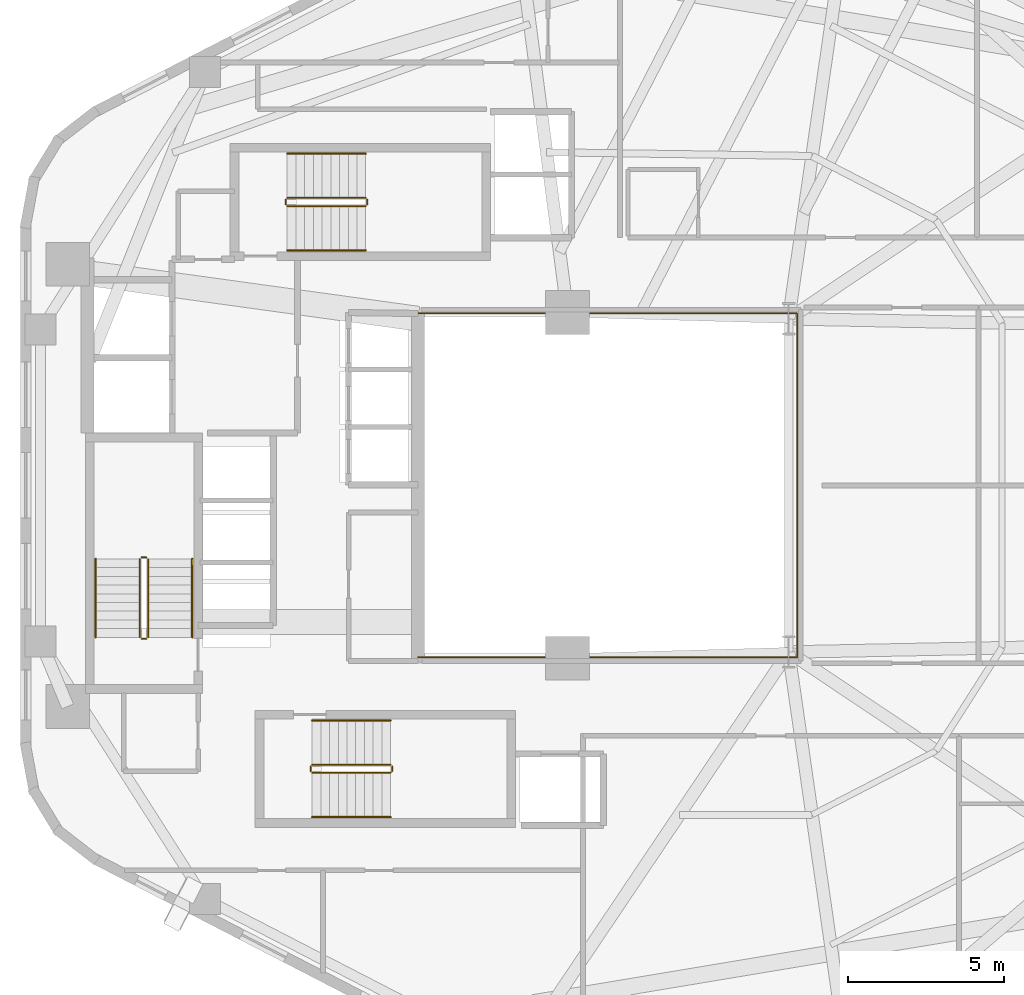
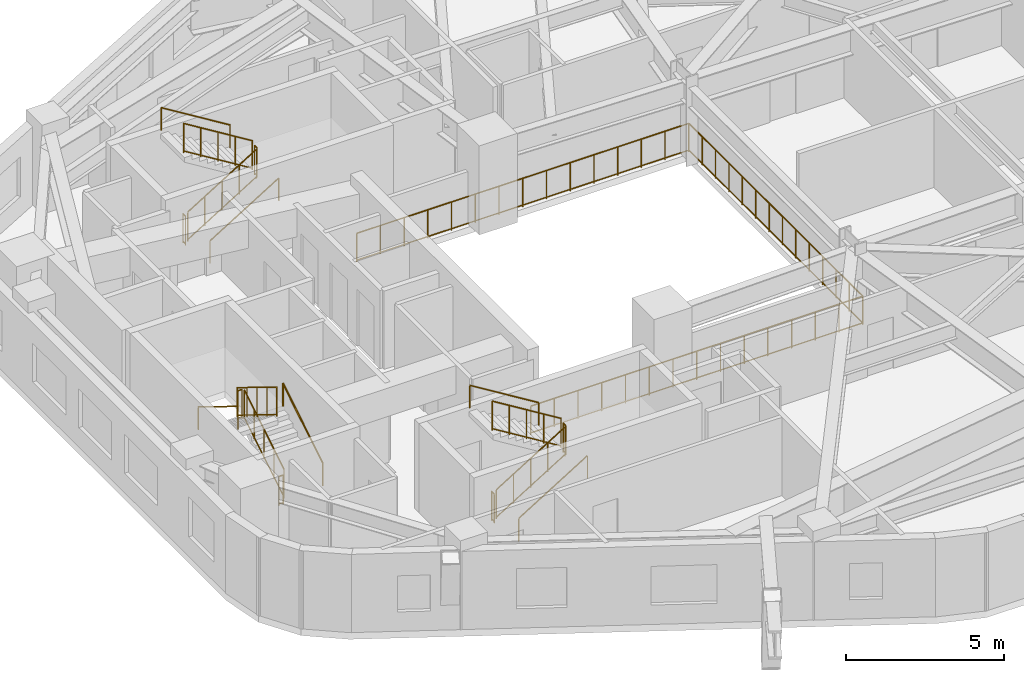
# One storey, part 7 of 7: 19 railings.
"""IFC4 building model written with IfcOpenShell, lengths in metres."""

import ifcopenshell
import ifcopenshell.guid

model = None  # the IFC model being written
_history = None  # IfcOwnerHistory: only IFC2X3 demands one
_inside = {}  # id of a spatial element -> (the spatial element, [elements in it])
_under = {}  # id of a project, library or spatial element -> (it, [spatial elements below it])
_declared = {}  # id of a project -> (the project, [libraries it declares])
_typed = {}  # id of a type object -> (the type object, [elements of that type])
_made_of = {}  # id of a material, layer set ... -> (it, [elements and type objects made of it])


def new_model(schema):
    """Start an empty IFC model of exactly this schema.

    Asked for "IFC4X3", IfcOpenShell would pick the latest addendum, in which some entities
    have other attributes; the version numbers below select the first issue.
    IFC2X3 requires an IfcOwnerHistory on every rooted entity: one is made here for all.
    """
    global model, _history
    if schema == "IFC4X3":
        model = ifcopenshell.file(schema_version=(4, 3, 0, 0))
    else:
        model = ifcopenshell.file(schema=schema)
    _inside.clear()
    _under.clear()
    _declared.clear()
    _typed.clear()
    _made_of.clear()
    _history = None
    if model.schema == "IFC2X3":
        org = make("IfcOrganization", Name="unknown")
        user = make(
            "IfcPersonAndOrganization",
            ThePerson=make("IfcPerson", FamilyName="unknown"),
            TheOrganization=org,
        )
        app = make(
            "IfcApplication",
            ApplicationDeveloper=org,
            Version="unknown",
            ApplicationFullName="unknown",
            ApplicationIdentifier="unknown",
        )
        _history = make(
            "IfcOwnerHistory",
            OwningUser=user,
            OwningApplication=app,
            ChangeAction="ADDED",
            CreationDate=0,
        )
    return model


def make(cls, **values):
    """One entity of the class cls with the attributes given. An attribute that is None is left unset."""
    return model.create_entity(
        cls, **{name: value for name, value in values.items() if value is not None}
    )


def rooted(cls, **values):
    """An entity with a GlobalId (a new one), such as an element, a storey or a relation."""
    return make(cls, GlobalId=ifcopenshell.guid.new(), OwnerHistory=_history, **values)


def si_unit(unit_type, name, prefix=None):
    """IfcSIUnit, for example si_unit("LENGTHUNIT", "METRE", prefix="MILLI")."""
    return make("IfcSIUnit", UnitType=unit_type, Prefix=prefix, Name=name)


def assignment(units):
    """IfcUnitAssignment: the units of a project."""
    return None if units is None else make("IfcUnitAssignment", Units=units)


def point(xyz):
    """IfcCartesianPoint."""
    return None if xyz is None else make("IfcCartesianPoint", Coordinates=xyz)


def direction(xyz):
    """IfcDirection."""
    return None if xyz is None else make("IfcDirection", DirectionRatios=xyz)


def frame(location, z_axis=None, x_axis=None):
    """IfcAxis2Placement3D, a coordinate frame: its origin and axes. An axis left out is left unset."""
    return make(
        "IfcAxis2Placement3D",
        Location=point(location),
        Axis=direction(z_axis),
        RefDirection=direction(x_axis),
    )


def frame_2d(location, x_axis=None):
    """IfcAxis2Placement2D, a coordinate frame in the plane: its origin and x axis."""
    return make(
        "IfcAxis2Placement2D", Location=point(location), RefDirection=direction(x_axis)
    )


def origin():
    """The frame at (0, 0, 0) with its axes left unset."""
    return frame((0.0, 0.0, 0.0))


def origin_2d():
    """The frame at (0, 0) in the plane with its x axis left unset."""
    return frame_2d((0.0, 0.0))


def place(relative_to, where):
    """IfcLocalPlacement: puts the frame where relative to a parent placement (None: the world)."""
    return make(
        "IfcLocalPlacement", PlacementRelTo=relative_to, RelativePlacement=where
    )


def context(
    kind, dimensions, precision=None, world=None, true_north=None, identifier=None
):
    """IfcGeometricRepresentationContext, for example the 3D "Model" context."""
    return make(
        "IfcGeometricRepresentationContext",
        ContextIdentifier=identifier,
        ContextType=kind,
        CoordinateSpaceDimension=dimensions,
        Precision=precision,
        WorldCoordinateSystem=world,
        TrueNorth=true_north,
    )


def subcontext(parent, identifier, kind, view, scale=None):
    """IfcGeometricRepresentationSubContext, for example "Body" below "Model"."""
    return make(
        "IfcGeometricRepresentationSubContext",
        ContextIdentifier=identifier,
        ContextType=kind,
        ParentContext=parent,
        TargetScale=scale,
        TargetView=view,
    )


def project(units=None, contexts=None):
    """IfcProject with its units and contexts."""
    return rooted(
        "IfcProject",
        Name="project",
        RepresentationContexts=contexts,
        UnitsInContext=assignment(units),
    )


def spatial(cls, under=None, at=None, **own):
    """A site, building, storey or space (cls), placed at a placement, below another one or the project."""
    s = rooted(cls, ObjectPlacement=at, **own)
    if under is not None:
        _under.setdefault(under.id(), (under, []))[1].append(s)
    return s


def profile(cls, at=None, kind="AREA", **sizes):
    """A parametric profile (cls). Its sizes go by their IFC names, for example OverallWidth=200.0."""
    return make(cls, ProfileType=kind, Position=at, **sizes)


def circle(**sizes):
    """IfcCircleProfileDef."""
    return profile("IfcCircleProfileDef", **sizes)


def extrude(swept, where, along, depth):
    """IfcExtrudedAreaSolid: the profile swept, set in the frame where, extruded along a direction by depth."""
    return make(
        "IfcExtrudedAreaSolid",
        SweptArea=swept,
        Position=where,
        ExtrudedDirection=direction(along),
        Depth=depth,
    )


def shape(context_of_items, identifier, shape_type, items):
    """IfcShapeRepresentation: the items that make up one representation, for example the "Body"."""
    return make(
        "IfcShapeRepresentation",
        ContextOfItems=context_of_items,
        RepresentationIdentifier=identifier,
        RepresentationType=shape_type,
        Items=items,
    )


def material(Name=None, Category=None):
    """IfcMaterial."""
    return make("IfcMaterial", Name=Name, Category=Category)


def made_of(thing, what):
    """Note that an element or type object is made of a material, layer set ...; save() writes the relation."""
    if what is not None:
        _made_of.setdefault(what.id(), (what, []))[1].append(thing)
    return thing


def type_object(cls, material=None, **own):
    """A type object (cls), such as IfcWallType, which elements share."""
    return made_of(rooted(cls, **own), material)


def element(
    cls,
    number,
    at=None,
    inside=None,
    cuts=None,
    type_object=None,
    material=None,
    context=None,
    identifier="Body",
    shape_type=None,
    held_by="IfcProductDefinitionShape",
    body=None,
    shapes=None,
    **own,
):
    """One element of the class cls, such as IfcWall. Its Tag is "e" and its number.

    at: its placement. inside: the storey or other place that contains it. cuts: it is an
    opening in that element (IfcRelVoidsElement). A single representation is given by context,
    identifier, shape_type and body (its items); several are given by shapes. held_by: the class
    of the entity that holds the representations. save() writes the other relations.
    """
    e = rooted(cls, Tag="e%d" % number, ObjectPlacement=at, **own)
    if body is not None:
        shapes = [shape(context, identifier, shape_type, body)]
    if shapes is not None:
        e.Representation = make(held_by, Representations=shapes)
    if inside is not None:
        _inside.setdefault(inside.id(), (inside, []))[1].append(e)
    if cuts is not None:
        rooted(
            "IfcRelVoidsElement", RelatingBuildingElement=cuts, RelatedOpeningElement=e
        )
    if type_object is not None:
        _typed.setdefault(type_object.id(), (type_object, []))[1].append(e)
    return made_of(e, material)


def aggregate(whole, parts):
    """IfcRelAggregates: a whole, such as a stair, and the parts it consists of."""
    return rooted("IfcRelAggregates", RelatingObject=whole, RelatedObjects=parts)


def save(model, path):
    """Write the relations noted so far, then the file.

    IfcRelAggregates (storeys below a building ...), IfcRelContainedInSpatialStructure (elements
    in a storey), IfcRelDefinesByType, IfcRelAssociatesMaterial and IfcRelDeclares: one each for
    every whole, place, type object, material and project.
    """
    for whole, parts in _under.values():
        aggregate(whole, parts)
    for where, things in _inside.values():
        rooted(
            "IfcRelContainedInSpatialStructure",
            RelatedElements=things,
            RelatingStructure=where,
        )
    for kind, things in _typed.values():
        rooted("IfcRelDefinesByType", RelatedObjects=things, RelatingType=kind)
    for what, things in _made_of.values():
        rooted("IfcRelAssociatesMaterial", RelatedObjects=things, RelatingMaterial=what)
    for by, libraries in _declared.values():
        rooted("IfcRelDeclares", RelatingContext=by, RelatedDefinitions=libraries)
    model.write(path)


model = new_model("IFC4")

# Units and contexts
model_context = context("Model", 3, precision=1e-05, world=origin(), true_north=direction((0.0, 1.0)))
body_context = subcontext(model_context, "Body", "Model", "MODEL_VIEW")
ifc_project = project(units=[si_unit("LENGTHUNIT", "METRE"), si_unit("AREAUNIT", "SQUARE_METRE"), si_unit("VOLUMEUNIT", "CUBIC_METRE"), si_unit("PLANEANGLEUNIT", "RADIAN"), si_unit("MASSUNIT", "GRAM", prefix="KILO"), si_unit("THERMODYNAMICTEMPERATUREUNIT", "KELVIN"), si_unit("POWERUNIT", "WATT")], contexts=[model_context])

# Site, building, storey
site_placement = place(None, origin())
site = spatial("IfcSite", under=ifc_project, at=site_placement, CompositionType="ELEMENT")
building_placement = place(site_placement, origin())
building = spatial("IfcBuilding", under=site, at=building_placement, Name="Skarre Station Tower", CompositionType="ELEMENT")
storey_placement = place(building_placement, frame((0.0, 0.0, 160.199951171875)))
storey = spatial("IfcBuildingStorey", under=building, at=storey_placement, Name="L43", CompositionType="ELEMENT", Elevation=160.199951171875)

# Railings
ifc_material_1 = material(Name="Bronze Anodized Steel & Laminated Glass Balustrade", Category="steel")
railing_type_1 = type_object("IfcRailingType", Name="Atrium Void & Mezzanine Guard Balustrade 1120", PredefinedType="GUARDRAIL", material=ifc_material_1)
railing_1_placement = place(storey_placement, frame((27.550048828125, 18.47998046875, 0.0)))
element("IfcRailing", 1, at=railing_1_placement, inside=storey, type_object=railing_type_1, Name="L43 Atrium Void Guard Balustrade", PredefinedType="GUARDRAIL", context=body_context, shape_type="SweptSolid", body=[
    extrude(circle(Radius=0.02392578125, at=origin_2d()), frame((0.0, 0.0, 1.09619140625), z_axis=(1.0, 0.0, 0.0), x_axis=(0.0, 1.0, 0.0)), (0.0, 0.0, 1.0), 12.169921875),
    extrude(circle(Radius=0.02099609375, at=origin_2d()), frame((0.0, 0.0, 0.06005859375), z_axis=(1.0, 0.0, 0.0), x_axis=(0.0, 1.0, 0.0)), (0.0, 0.0, 1.0), 12.169921875),
    extrude(circle(Radius=0.02392578125, at=origin_2d()), frame((12.169921875, 0.0, 1.09619140625), z_axis=(0.0, 1.0, 0.0), x_axis=(-1.0, 0.0, 0.0)), (0.0, 0.0, 1.0), 11.0400390625),
    extrude(circle(Radius=0.02099609375, at=origin_2d()), frame((12.169921875, 0.0, 0.06005859375), z_axis=(0.0, 1.0, 0.0), x_axis=(-1.0, 0.0, 0.0)), (0.0, 0.0, 1.0), 11.0400390625),
    extrude(circle(Radius=0.02392578125, at=origin_2d()), frame((12.169921875, 11.0400390625, 1.09619140625), z_axis=(-1.0, 0.0, 0.0), x_axis=(0.0, -1.0, 0.0)), (0.0, 0.0, 1.0), 12.169921875),
    extrude(circle(Radius=0.02099609375, at=origin_2d()), frame((12.169921875, 11.0400390625, 0.06005859375), z_axis=(-1.0, 0.0, 0.0), x_axis=(0.0, -1.0, 0.0)), (0.0, 0.0, 1.0), 12.169921875),
    extrude(circle(Radius=0.02099609375, at=origin_2d()), origin(), (0.0, 0.0, 1.0), 1.072021484375),
    extrude(circle(Radius=0.02099609375, at=origin_2d()), frame((0.869384765625, 0.0, 0.0)), (0.0, 0.0, 1.0), 1.072021484375),
    extrude(circle(Radius=0.02099609375, at=origin_2d()), frame((1.738525390625, 0.0, 0.0)), (0.0, 0.0, 1.0), 1.072021484375),
    extrude(circle(Radius=0.02099609375, at=origin_2d()), frame((2.60791015625, 0.0, 0.0)), (0.0, 0.0, 1.0), 1.072021484375),
    extrude(circle(Radius=0.02099609375, at=origin_2d()), frame((3.47705078125, 0.0, 0.0)), (0.0, 0.0, 1.0), 1.072021484375),
    extrude(circle(Radius=0.02099609375, at=origin_2d()), frame((4.346435546875, 0.0, 0.0)), (0.0, 0.0, 1.0), 1.072021484375),
    extrude(circle(Radius=0.02099609375, at=origin_2d()), frame((5.215576171875, 0.0, 0.0)), (0.0, 0.0, 1.0), 1.072021484375),
    extrude(circle(Radius=0.02099609375, at=origin_2d()), frame((6.0849609375, 0.0, 0.0)), (0.0, 0.0, 1.0), 1.072021484375),
    extrude(circle(Radius=0.02099609375, at=origin_2d()), frame((6.954345703125, 0.0, 0.0)), (0.0, 0.0, 1.0), 1.072021484375),
    extrude(circle(Radius=0.02099609375, at=origin_2d()), frame((7.823486328125, 0.0, 0.0)), (0.0, 0.0, 1.0), 1.072021484375),
    extrude(circle(Radius=0.02099609375, at=origin_2d()), frame((8.69287109375, 0.0, 0.0)), (0.0, 0.0, 1.0), 1.072021484375),
    extrude(circle(Radius=0.02099609375, at=origin_2d()), frame((9.56201171875, 0.0, 0.0)), (0.0, 0.0, 1.0), 1.072021484375),
    extrude(circle(Radius=0.02099609375, at=origin_2d()), frame((10.431396484375, 0.0, 0.0)), (0.0, 0.0, 1.0), 1.072021484375),
    extrude(circle(Radius=0.02099609375, at=origin_2d()), frame((11.300537109375, 0.0, 0.0)), (0.0, 0.0, 1.0), 1.072021484375),
    extrude(circle(Radius=0.02099609375, at=origin_2d()), frame((12.169921875, 0.0, 0.0)), (0.0, 0.0, 1.0), 1.072021484375),
    extrude(circle(Radius=0.02099609375, at=origin_2d()), frame((12.169921875, 0.84912109375, 0.0)), (0.0, 0.0, 1.0), 1.072021484375),
    extrude(circle(Radius=0.02099609375, at=origin_2d()), frame((12.169921875, 1.698486328125, 0.0)), (0.0, 0.0, 1.0), 1.072021484375),
    extrude(circle(Radius=0.02099609375, at=origin_2d()), frame((12.169921875, 2.547607421875, 0.0)), (0.0, 0.0, 1.0), 1.072021484375),
    extrude(circle(Radius=0.02099609375, at=origin_2d()), frame((12.169921875, 3.39697265625, 0.0)), (0.0, 0.0, 1.0), 1.072021484375),
    extrude(circle(Radius=0.02099609375, at=origin_2d()), frame((12.169921875, 4.24609375, 0.0)), (0.0, 0.0, 1.0), 1.072021484375),
    extrude(circle(Radius=0.02099609375, at=origin_2d()), frame((12.169921875, 5.095458984375, 0.0)), (0.0, 0.0, 1.0), 1.072021484375),
    extrude(circle(Radius=0.02099609375, at=origin_2d()), frame((12.169921875, 5.944580078125, 0.0)), (0.0, 0.0, 1.0), 1.072021484375),
    extrude(circle(Radius=0.02099609375, at=origin_2d()), frame((12.169921875, 6.7939453125, 0.0)), (0.0, 0.0, 1.0), 1.072021484375),
    extrude(circle(Radius=0.02099609375, at=origin_2d()), frame((12.169921875, 7.64306640625, 0.0)), (0.0, 0.0, 1.0), 1.072021484375),
    extrude(circle(Radius=0.02099609375, at=origin_2d()), frame((12.169921875, 8.492431640625, 0.0)), (0.0, 0.0, 1.0), 1.072021484375),
    extrude(circle(Radius=0.02099609375, at=origin_2d()), frame((12.169921875, 9.341552734375, 0.0)), (0.0, 0.0, 1.0), 1.072021484375),
    extrude(circle(Radius=0.02099609375, at=origin_2d()), frame((12.169921875, 10.19091796875, 0.0)), (0.0, 0.0, 1.0), 1.072021484375),
    extrude(circle(Radius=0.02099609375, at=origin_2d()), frame((12.169921875, 11.0400390625, 0.0)), (0.0, 0.0, 1.0), 1.072021484375),
    extrude(circle(Radius=0.02099609375, at=origin_2d()), frame((11.300537109375, 11.0400390625, 0.0)), (0.0, 0.0, 1.0), 1.072021484375),
    extrude(circle(Radius=0.02099609375, at=origin_2d()), frame((10.431396484375, 11.0400390625, 0.0)), (0.0, 0.0, 1.0), 1.072021484375),
    extrude(circle(Radius=0.02099609375, at=origin_2d()), frame((9.56201171875, 11.0400390625, 0.0)), (0.0, 0.0, 1.0), 1.072021484375),
    extrude(circle(Radius=0.02099609375, at=origin_2d()), frame((8.69287109375, 11.0400390625, 0.0)), (0.0, 0.0, 1.0), 1.072021484375),
    extrude(circle(Radius=0.02099609375, at=origin_2d()), frame((7.823486328125, 11.0400390625, 0.0)), (0.0, 0.0, 1.0), 1.072021484375),
    extrude(circle(Radius=0.02099609375, at=origin_2d()), frame((6.954345703125, 11.0400390625, 0.0)), (0.0, 0.0, 1.0), 1.072021484375),
    extrude(circle(Radius=0.02099609375, at=origin_2d()), frame((6.0849609375, 11.0400390625, 0.0)), (0.0, 0.0, 1.0), 1.072021484375),
    extrude(circle(Radius=0.02099609375, at=origin_2d()), frame((5.215576171875, 11.0400390625, 0.0)), (0.0, 0.0, 1.0), 1.072021484375),
    extrude(circle(Radius=0.02099609375, at=origin_2d()), frame((4.346435546875, 11.0400390625, 0.0)), (0.0, 0.0, 1.0), 1.072021484375),
    extrude(circle(Radius=0.02099609375, at=origin_2d()), frame((3.47705078125, 11.0400390625, 0.0)), (0.0, 0.0, 1.0), 1.072021484375),
    extrude(circle(Radius=0.02099609375, at=origin_2d()), frame((2.60791015625, 11.0400390625, 0.0)), (0.0, 0.0, 1.0), 1.072021484375),
    extrude(circle(Radius=0.02099609375, at=origin_2d()), frame((1.738525390625, 11.0400390625, 0.0)), (0.0, 0.0, 1.0), 1.072021484375),
    extrude(circle(Radius=0.02099609375, at=origin_2d()), frame((0.869384765625, 11.0400390625, 0.0)), (0.0, 0.0, 1.0), 1.072021484375),
    extrude(circle(Radius=0.02099609375, at=origin_2d()), frame((0.0, 11.0400390625, 0.0)), (0.0, 0.0, 1.0), 1.072021484375),
])
ifc_material_2 = material(Name="Powder-Coated Tubular Steel", Category="steel")
railing_type_2 = type_object("IfcRailingType", Name="Painted Steel Ramp & Stair Handrail 920", PredefinedType="HANDRAIL", material=ifc_material_2)
railing_2_placement = place(storey_placement, frame((20.300048828125, 19.1201171875, 0.172607421875)))
element("IfcRailing", 2, at=railing_2_placement, inside=storey, type_object=railing_type_2, Name="L43 ST-1 stair handrail 1", PredefinedType="HANDRAIL", context=body_context, shape_type="SweptSolid", body=[
    extrude(circle(Radius=0.02392578125, at=origin_2d()), frame((0.0, 0.0, 0.8759765625), z_axis=(0.0, 0.851377800117, 0.52455299205), x_axis=(-1.0, 0.0, 0.0)), (0.0, 0.0, 1.0), 2.959716796875),
    extrude(circle(Radius=0.02099609375, at=origin_2d()), origin(), (0.0, 0.0, 1.0), 0.851806640625),
    extrude(circle(Radius=0.02099609375, at=origin_2d()), frame((0.0, 2.519775390625, 1.552490234375)), (0.0, 0.0, 1.0), 0.851806640625),
])
railing_3_placement = place(storey_placement, frame((17.199951171875, 21.639892578125, 1.8974609375)))
element("IfcRailing", 3, at=railing_3_placement, inside=storey, type_object=railing_type_2, Name="L43 ST-1 stair handrail 2", PredefinedType="HANDRAIL", context=body_context, shape_type="SweptSolid", body=[
    extrude(circle(Radius=0.02392578125, at=origin_2d()), frame((0.0, 0.0, 0.8759765625), z_axis=(0.0, -0.851377800117, 0.52455299205), x_axis=(1.0, 0.0, 0.0)), (0.0, 0.0, 1.0), 2.959716796875),
    extrude(circle(Radius=0.02099609375, at=origin_2d()), origin(), (0.0, 0.0, 1.0), 0.851806640625),
    extrude(circle(Radius=0.02099609375, at=origin_2d()), frame((0.0, -2.519775390625, 1.552490234375)), (0.0, 0.0, 1.0), 0.851806640625),
])
railing_4_placement = place(storey_placement, frame((24.14990234375, 13.35009765625, 0.172607421875)))
element("IfcRailing", 4, at=railing_4_placement, inside=storey, type_object=railing_type_2, Name="L43 ST-2 stair handrail 1", PredefinedType="HANDRAIL", context=body_context, shape_type="SweptSolid", body=[
    extrude(circle(Radius=0.02392578125, at=origin_2d()), frame((0.0, 0.0, 0.8759765625), z_axis=(0.851400495292, 0.0, 0.524516154772), x_axis=(0.0, 1.0, 0.0)), (0.0, 0.0, 1.0), 2.9599609375),
    extrude(circle(Radius=0.02099609375, at=origin_2d()), origin(), (0.0, 0.0, 1.0), 0.851806640625),
    extrude(circle(Radius=0.02099609375, at=origin_2d()), frame((2.52001953125, 0.0, 1.552490234375)), (0.0, 0.0, 1.0), 0.851806640625),
])
railing_5_placement = place(storey_placement, frame((26.669921875, 16.449951171875, 1.8974609375)))
element("IfcRailing", 5, at=railing_5_placement, inside=storey, type_object=railing_type_2, Name="L43 ST-2 stair handrail 2", PredefinedType="HANDRAIL", context=body_context, shape_type="SweptSolid", body=[
    extrude(circle(Radius=0.02392578125, at=origin_2d()), frame((0.0, 0.0, 0.8759765625), z_axis=(-0.851400495292, 0.0, 0.524516154772), x_axis=(0.0, -1.0, 0.0)), (0.0, 0.0, 1.0), 2.9599609375),
    extrude(circle(Radius=0.02099609375, at=origin_2d()), origin(), (0.0, 0.0, 1.0), 0.851806640625),
    extrude(circle(Radius=0.02099609375, at=origin_2d()), frame((-2.52001953125, 0.0, 1.552490234375)), (0.0, 0.0, 1.0), 0.851806640625),
])
railing_6_placement = place(storey_placement, frame((23.35009765625, 31.550048828125, 0.172607421875)))
element("IfcRailing", 6, at=railing_6_placement, inside=storey, type_object=railing_type_2, Name="L43 ST-3 stair handrail 1", PredefinedType="HANDRAIL", context=body_context, shape_type="SweptSolid", body=[
    extrude(circle(Radius=0.02392578125, at=origin_2d()), frame((0.0, 0.0, 0.8759765625), z_axis=(0.851400495292, 0.0, 0.524516154772), x_axis=(0.0, 1.0, 0.0)), (0.0, 0.0, 1.0), 2.9599609375),
    extrude(circle(Radius=0.02099609375, at=origin_2d()), origin(), (0.0, 0.0, 1.0), 0.851806640625),
    extrude(circle(Radius=0.02099609375, at=origin_2d()), frame((2.52001953125, 0.0, 1.552490234375)), (0.0, 0.0, 1.0), 0.851806640625),
])
railing_7_placement = place(storey_placement, frame((25.8701171875, 34.64990234375, 1.8974609375)))
element("IfcRailing", 7, at=railing_7_placement, inside=storey, type_object=railing_type_2, Name="L43 ST-3 stair handrail 2", PredefinedType="HANDRAIL", context=body_context, shape_type="SweptSolid", body=[
    extrude(circle(Radius=0.02392578125, at=origin_2d()), frame((0.0, 0.0, 0.8759765625), z_axis=(-0.851400495292, 0.0, 0.524516154772), x_axis=(0.0, -1.0, 0.0)), (0.0, 0.0, 1.0), 2.9599609375),
    extrude(circle(Radius=0.02099609375, at=origin_2d()), origin(), (0.0, 0.0, 1.0), 0.851806640625),
    extrude(circle(Radius=0.02099609375, at=origin_2d()), frame((-2.52001953125, 0.0, 1.552490234375)), (0.0, 0.0, 1.0), 0.851806640625),
])
railing_type_3 = type_object("IfcRailingType", Name="Painted Steel Stairwell Guardrail 1100", PredefinedType="GUARDRAIL", material=ifc_material_2)
railing_8_placement = place(storey_placement, frame((18.8798828125, 19.1201171875, 0.172607421875)))
element("IfcRailing", 8, at=railing_8_placement, inside=storey, type_object=railing_type_3, Name="L43 ST-1 stair guard 1", PredefinedType="GUARDRAIL", context=body_context, shape_type="SweptSolid", body=[
    extrude(circle(Radius=0.02392578125, at=origin_2d()), frame((0.0, 0.0, 1.1259765625), z_axis=(0.0, 0.851377800117, 0.52455299205), x_axis=(-1.0, 0.0, 0.0)), (0.0, 0.0, 1.0), 2.959716796875),
    extrude(circle(Radius=0.02099609375, at=origin_2d()), frame((0.0, 0.0, 0.06005859375), z_axis=(0.0, 0.851377800117, 0.52455299205), x_axis=(-1.0, 0.0, 0.0)), (0.0, 0.0, 1.0), 2.959716796875),
    extrude(circle(Radius=0.02099609375, at=origin_2d()), origin(), (0.0, 0.0, 1.0), 1.101806640625),
    extrude(circle(Radius=0.02099609375, at=origin_2d()), frame((0.0, 0.6298828125, 0.38818359375)), (0.0, 0.0, 1.0), 1.101806640625),
    extrude(circle(Radius=0.02099609375, at=origin_2d()), frame((0.0, 1.259765625, 0.7763671875)), (0.0, 0.0, 1.0), 1.101806640625),
    extrude(circle(Radius=0.02099609375, at=origin_2d()), frame((0.0, 1.889892578125, 1.164306640625)), (0.0, 0.0, 1.0), 1.101806640625),
    extrude(circle(Radius=0.02099609375, at=origin_2d()), frame((0.0, 2.519775390625, 1.552490234375)), (0.0, 0.0, 1.0), 1.101806640625),
])
railing_9_placement = place(storey_placement, frame((18.830078125, 21.68994140625, 1.72509765625)))
element("IfcRailing", 9, at=railing_9_placement, inside=storey, type_object=railing_type_3, Name="L43 ST-1 stair guard 2", PredefinedType="GUARDRAIL", context=body_context, shape_type="SweptSolid", body=[
    extrude(circle(Radius=0.02392578125, at=origin_2d()), frame((0.0, 0.0, 1.1259765625), z_axis=(-1.0, 0.0, 0.0), x_axis=(0.0, -1.0, 0.0)), (0.0, 0.0, 1.0), 0.16015625),
    extrude(circle(Radius=0.02099609375, at=origin_2d()), frame((0.0, 0.0, 0.06005859375), z_axis=(-1.0, 0.0, 0.0), x_axis=(0.0, -1.0, 0.0)), (0.0, 0.0, 1.0), 0.16015625),
    extrude(circle(Radius=0.02099609375, at=origin_2d()), origin(), (0.0, 0.0, 1.0), 1.101806640625),
    extrude(circle(Radius=0.02099609375, at=origin_2d()), frame((-0.16015625, 0.0, 0.0)), (0.0, 0.0, 1.0), 1.101806640625),
])
railing_10_placement = place(storey_placement, frame((18.6201171875, 21.639892578125, 1.8974609375)))
element("IfcRailing", 10, at=railing_10_placement, inside=storey, type_object=railing_type_3, Name="L43 ST-1 stair guard 3", PredefinedType="GUARDRAIL", context=body_context, shape_type="SweptSolid", body=[
    extrude(circle(Radius=0.02392578125, at=origin_2d()), frame((0.0, 0.0, 1.1259765625), z_axis=(0.0, -0.851377800117, 0.52455299205), x_axis=(1.0, 0.0, 0.0)), (0.0, 0.0, 1.0), 2.959716796875),
    extrude(circle(Radius=0.02099609375, at=origin_2d()), frame((0.0, 0.0, 0.06005859375), z_axis=(0.0, -0.851377800117, 0.52455299205), x_axis=(1.0, 0.0, 0.0)), (0.0, 0.0, 1.0), 2.959716796875),
    extrude(circle(Radius=0.02099609375, at=origin_2d()), origin(), (0.0, 0.0, 1.0), 1.101806640625),
    extrude(circle(Radius=0.02099609375, at=origin_2d()), frame((0.0, -0.6298828125, 0.38818359375)), (0.0, 0.0, 1.0), 1.101806640625),
    extrude(circle(Radius=0.02099609375, at=origin_2d()), frame((0.0, -1.259765625, 0.7763671875)), (0.0, 0.0, 1.0), 1.101806640625),
    extrude(circle(Radius=0.02099609375, at=origin_2d()), frame((0.0, -1.889892578125, 1.164306640625)), (0.0, 0.0, 1.0), 1.101806640625),
    extrude(circle(Radius=0.02099609375, at=origin_2d()), frame((0.0, -2.519775390625, 1.552490234375)), (0.0, 0.0, 1.0), 1.101806640625),
])
railing_11_placement = place(storey_placement, frame((18.830078125, 19.070068359375, 0.0)))
element("IfcRailing", 11, at=railing_11_placement, inside=storey, type_object=railing_type_3, Name="L43 ST-1 stair guard 4", PredefinedType="GUARDRAIL", context=body_context, shape_type="SweptSolid", body=[
    extrude(circle(Radius=0.02392578125, at=origin_2d()), frame((0.0, 0.0, 1.1259765625), z_axis=(-1.0, 0.0, 0.0), x_axis=(0.0, -1.0, 0.0)), (0.0, 0.0, 1.0), 0.16015625),
    extrude(circle(Radius=0.02099609375, at=origin_2d()), frame((0.0, 0.0, 0.06005859375), z_axis=(-1.0, 0.0, 0.0), x_axis=(0.0, -1.0, 0.0)), (0.0, 0.0, 1.0), 0.16015625),
    extrude(circle(Radius=0.02099609375, at=origin_2d()), origin(), (0.0, 0.0, 1.0), 1.101806640625),
    extrude(circle(Radius=0.02099609375, at=origin_2d()), frame((-0.16015625, 0.0, 0.0)), (0.0, 0.0, 1.0), 1.101806640625),
])
railing_12_placement = place(storey_placement, frame((24.14990234375, 14.77001953125, 0.172607421875)))
element("IfcRailing", 12, at=railing_12_placement, inside=storey, type_object=railing_type_3, Name="L43 ST-2 stair guard 1", PredefinedType="GUARDRAIL", context=body_context, shape_type="SweptSolid", body=[
    extrude(circle(Radius=0.02392578125, at=origin_2d()), frame((0.0, 0.0, 1.1259765625), z_axis=(0.851400495292, 0.0, 0.524516154772), x_axis=(0.0, 1.0, 0.0)), (0.0, 0.0, 1.0), 2.9599609375),
    extrude(circle(Radius=0.02099609375, at=origin_2d()), frame((0.0, 0.0, 0.06005859375), z_axis=(0.851400495292, 0.0, 0.524516154772), x_axis=(0.0, 1.0, 0.0)), (0.0, 0.0, 1.0), 2.9599609375),
    extrude(circle(Radius=0.02099609375, at=origin_2d()), origin(), (0.0, 0.0, 1.0), 1.101806640625),
    extrude(circle(Radius=0.02099609375, at=origin_2d()), frame((0.6298828125, 0.0, 0.38818359375)), (0.0, 0.0, 1.0), 1.101806640625),
    extrude(circle(Radius=0.02099609375, at=origin_2d()), frame((1.260009765625, 0.0, 0.7763671875)), (0.0, 0.0, 1.0), 1.101806640625),
    extrude(circle(Radius=0.02099609375, at=origin_2d()), frame((1.89013671875, 0.0, 1.164306640625)), (0.0, 0.0, 1.0), 1.101806640625),
    extrude(circle(Radius=0.02099609375, at=origin_2d()), frame((2.52001953125, 0.0, 1.552490234375)), (0.0, 0.0, 1.0), 1.101806640625),
])
railing_13_placement = place(storey_placement, frame((26.719970703125, 14.820068359375, 1.72509765625)))
element("IfcRailing", 13, at=railing_13_placement, inside=storey, type_object=railing_type_3, Name="L43 ST-2 stair guard 2", PredefinedType="GUARDRAIL", context=body_context, shape_type="SweptSolid", body=[
    extrude(circle(Radius=0.02392578125, at=origin_2d()), frame((0.0, 0.0, 1.1259765625), z_axis=(0.0, 1.0, 0.0), x_axis=(-1.0, 0.0, 0.0)), (0.0, 0.0, 1.0), 0.159912109375),
    extrude(circle(Radius=0.02099609375, at=origin_2d()), frame((0.0, 0.0, 0.06005859375), z_axis=(0.0, 1.0, 0.0), x_axis=(-1.0, 0.0, 0.0)), (0.0, 0.0, 1.0), 0.159912109375),
    extrude(circle(Radius=0.02099609375, at=origin_2d()), origin(), (0.0, 0.0, 1.0), 1.101806640625),
    extrude(circle(Radius=0.02099609375, at=origin_2d()), frame((0.0, 0.159912109375, 0.0)), (0.0, 0.0, 1.0), 1.101806640625),
])
railing_14_placement = place(storey_placement, frame((26.669921875, 15.030029296875, 1.8974609375)))
element("IfcRailing", 14, at=railing_14_placement, inside=storey, type_object=railing_type_3, Name="L43 ST-2 stair guard 3", PredefinedType="GUARDRAIL", context=body_context, shape_type="SweptSolid", body=[
    extrude(circle(Radius=0.02392578125, at=origin_2d()), frame((0.0, 0.0, 1.1259765625), z_axis=(-0.851400495292, 0.0, 0.524516154772), x_axis=(0.0, -1.0, 0.0)), (0.0, 0.0, 1.0), 2.9599609375),
    extrude(circle(Radius=0.02099609375, at=origin_2d()), frame((0.0, 0.0, 0.06005859375), z_axis=(-0.851400495292, 0.0, 0.524516154772), x_axis=(0.0, -1.0, 0.0)), (0.0, 0.0, 1.0), 2.9599609375),
    extrude(circle(Radius=0.02099609375, at=origin_2d()), origin(), (0.0, 0.0, 1.0), 1.101806640625),
    extrude(circle(Radius=0.02099609375, at=origin_2d()), frame((-0.6298828125, 0.0, 0.38818359375)), (0.0, 0.0, 1.0), 1.101806640625),
    extrude(circle(Radius=0.02099609375, at=origin_2d()), frame((-1.260009765625, 0.0, 0.7763671875)), (0.0, 0.0, 1.0), 1.101806640625),
    extrude(circle(Radius=0.02099609375, at=origin_2d()), frame((-1.89013671875, 0.0, 1.164306640625)), (0.0, 0.0, 1.0), 1.101806640625),
    extrude(circle(Radius=0.02099609375, at=origin_2d()), frame((-2.52001953125, 0.0, 1.552490234375)), (0.0, 0.0, 1.0), 1.101806640625),
])
railing_15_placement = place(storey_placement, frame((24.10009765625, 14.820068359375, 0.0)))
element("IfcRailing", 15, at=railing_15_placement, inside=storey, type_object=railing_type_3, Name="L43 ST-2 stair guard 4", PredefinedType="GUARDRAIL", context=body_context, shape_type="SweptSolid", body=[
    extrude(circle(Radius=0.02392578125, at=origin_2d()), frame((0.0, 0.0, 1.1259765625), z_axis=(0.0, 1.0, 0.0), x_axis=(-1.0, 0.0, 0.0)), (0.0, 0.0, 1.0), 0.159912109375),
    extrude(circle(Radius=0.02099609375, at=origin_2d()), frame((0.0, 0.0, 0.06005859375), z_axis=(0.0, 1.0, 0.0), x_axis=(-1.0, 0.0, 0.0)), (0.0, 0.0, 1.0), 0.159912109375),
    extrude(circle(Radius=0.02099609375, at=origin_2d()), origin(), (0.0, 0.0, 1.0), 1.101806640625),
    extrude(circle(Radius=0.02099609375, at=origin_2d()), frame((0.0, 0.159912109375, 0.0)), (0.0, 0.0, 1.0), 1.101806640625),
])
railing_16_placement = place(storey_placement, frame((23.35009765625, 32.969970703125, 0.172607421875)))
element("IfcRailing", 16, at=railing_16_placement, inside=storey, type_object=railing_type_3, Name="L43 ST-3 stair guard 1", PredefinedType="GUARDRAIL", context=body_context, shape_type="SweptSolid", body=[
    extrude(circle(Radius=0.02392578125, at=origin_2d()), frame((0.0, 0.0, 1.1259765625), z_axis=(0.851400495292, 0.0, 0.524516154772), x_axis=(0.0, 1.0, 0.0)), (0.0, 0.0, 1.0), 2.9599609375),
    extrude(circle(Radius=0.02099609375, at=origin_2d()), frame((0.0, 0.0, 0.06005859375), z_axis=(0.851400495292, 0.0, 0.524516154772), x_axis=(0.0, 1.0, 0.0)), (0.0, 0.0, 1.0), 2.9599609375),
    extrude(circle(Radius=0.02099609375, at=origin_2d()), origin(), (0.0, 0.0, 1.0), 1.101806640625),
    extrude(circle(Radius=0.02099609375, at=origin_2d()), frame((0.6298828125, 0.0, 0.38818359375)), (0.0, 0.0, 1.0), 1.101806640625),
    extrude(circle(Radius=0.02099609375, at=origin_2d()), frame((1.260009765625, 0.0, 0.7763671875)), (0.0, 0.0, 1.0), 1.101806640625),
    extrude(circle(Radius=0.02099609375, at=origin_2d()), frame((1.89013671875, 0.0, 1.164306640625)), (0.0, 0.0, 1.0), 1.101806640625),
    extrude(circle(Radius=0.02099609375, at=origin_2d()), frame((2.52001953125, 0.0, 1.552490234375)), (0.0, 0.0, 1.0), 1.101806640625),
])
railing_17_placement = place(storey_placement, frame((25.919921875, 33.02001953125, 1.72509765625)))
element("IfcRailing", 17, at=railing_17_placement, inside=storey, type_object=railing_type_3, Name="L43 ST-3 stair guard 2", PredefinedType="GUARDRAIL", context=body_context, shape_type="SweptSolid", body=[
    extrude(circle(Radius=0.02392578125, at=origin_2d()), frame((0.0, 0.0, 1.1259765625), z_axis=(0.0, 1.0, 0.0), x_axis=(-1.0, 0.0, 0.0)), (0.0, 0.0, 1.0), 0.159912109375),
    extrude(circle(Radius=0.02099609375, at=origin_2d()), frame((0.0, 0.0, 0.06005859375), z_axis=(0.0, 1.0, 0.0), x_axis=(-1.0, 0.0, 0.0)), (0.0, 0.0, 1.0), 0.159912109375),
    extrude(circle(Radius=0.02099609375, at=origin_2d()), origin(), (0.0, 0.0, 1.0), 1.101806640625),
    extrude(circle(Radius=0.02099609375, at=origin_2d()), frame((0.0, 0.159912109375, 0.0)), (0.0, 0.0, 1.0), 1.101806640625),
])
railing_18_placement = place(storey_placement, frame((25.8701171875, 33.22998046875, 1.8974609375)))
element("IfcRailing", 18, at=railing_18_placement, inside=storey, type_object=railing_type_3, Name="L43 ST-3 stair guard 3", PredefinedType="GUARDRAIL", context=body_context, shape_type="SweptSolid", body=[
    extrude(circle(Radius=0.02392578125, at=origin_2d()), frame((0.0, 0.0, 1.1259765625), z_axis=(-0.851400495292, 0.0, 0.524516154772), x_axis=(0.0, -1.0, 0.0)), (0.0, 0.0, 1.0), 2.9599609375),
    extrude(circle(Radius=0.02099609375, at=origin_2d()), frame((0.0, 0.0, 0.06005859375), z_axis=(-0.851400495292, 0.0, 0.524516154772), x_axis=(0.0, -1.0, 0.0)), (0.0, 0.0, 1.0), 2.9599609375),
    extrude(circle(Radius=0.02099609375, at=origin_2d()), origin(), (0.0, 0.0, 1.0), 1.101806640625),
    extrude(circle(Radius=0.02099609375, at=origin_2d()), frame((-0.6298828125, 0.0, 0.38818359375)), (0.0, 0.0, 1.0), 1.101806640625),
    extrude(circle(Radius=0.02099609375, at=origin_2d()), frame((-1.260009765625, 0.0, 0.7763671875)), (0.0, 0.0, 1.0), 1.101806640625),
    extrude(circle(Radius=0.02099609375, at=origin_2d()), frame((-1.89013671875, 0.0, 1.164306640625)), (0.0, 0.0, 1.0), 1.101806640625),
    extrude(circle(Radius=0.02099609375, at=origin_2d()), frame((-2.52001953125, 0.0, 1.552490234375)), (0.0, 0.0, 1.0), 1.101806640625),
])
railing_19_placement = place(storey_placement, frame((23.300048828125, 33.02001953125, 0.0)))
element("IfcRailing", 19, at=railing_19_placement, inside=storey, type_object=railing_type_3, Name="L43 ST-3 stair guard 4", PredefinedType="GUARDRAIL", context=body_context, shape_type="SweptSolid", body=[
    extrude(circle(Radius=0.02392578125, at=origin_2d()), frame((0.0, 0.0, 1.1259765625), z_axis=(0.0, 1.0, 0.0), x_axis=(-1.0, 0.0, 0.0)), (0.0, 0.0, 1.0), 0.159912109375),
    extrude(circle(Radius=0.02099609375, at=origin_2d()), frame((0.0, 0.0, 0.06005859375), z_axis=(0.0, 1.0, 0.0), x_axis=(-1.0, 0.0, 0.0)), (0.0, 0.0, 1.0), 0.159912109375),
    extrude(circle(Radius=0.02099609375, at=origin_2d()), origin(), (0.0, 0.0, 1.0), 1.101806640625),
    extrude(circle(Radius=0.02099609375, at=origin_2d()), frame((0.0, 0.159912109375, 0.0)), (0.0, 0.0, 1.0), 1.101806640625),
])

save(model, "model.ifc")
